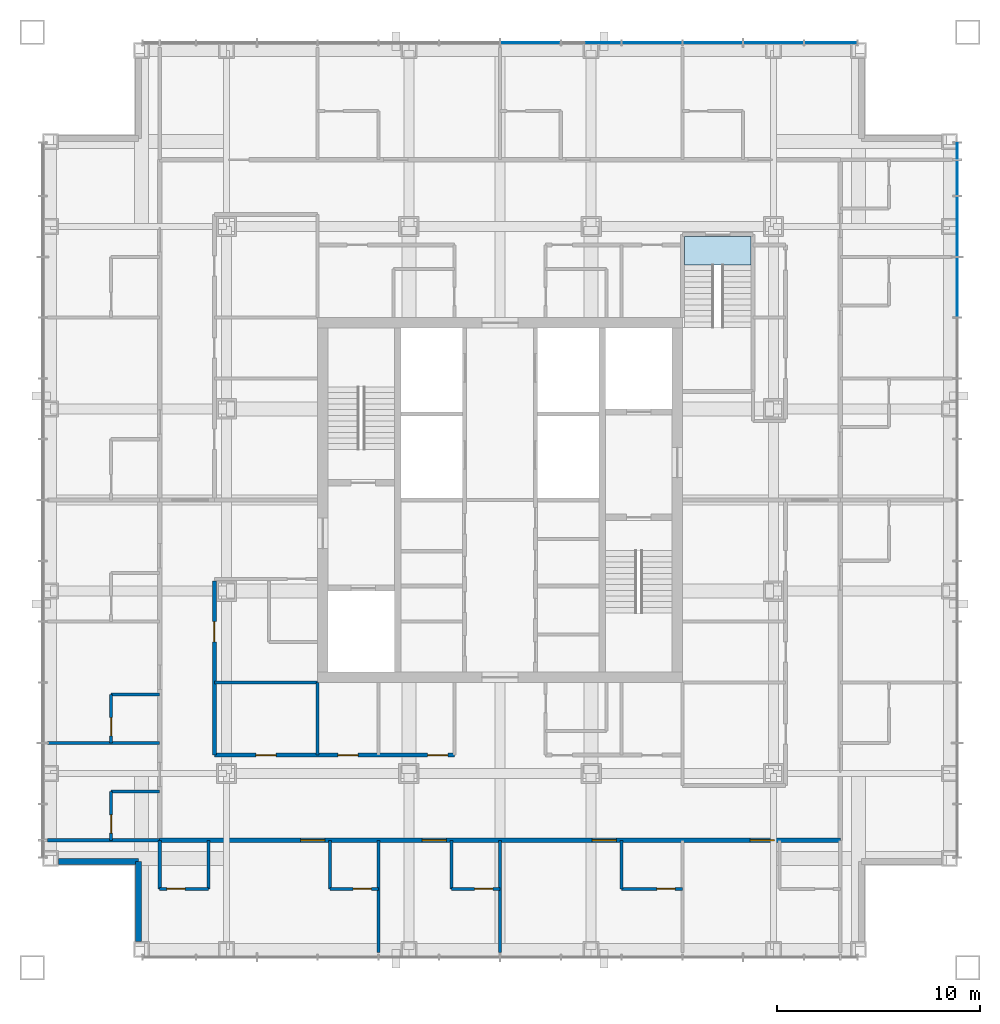
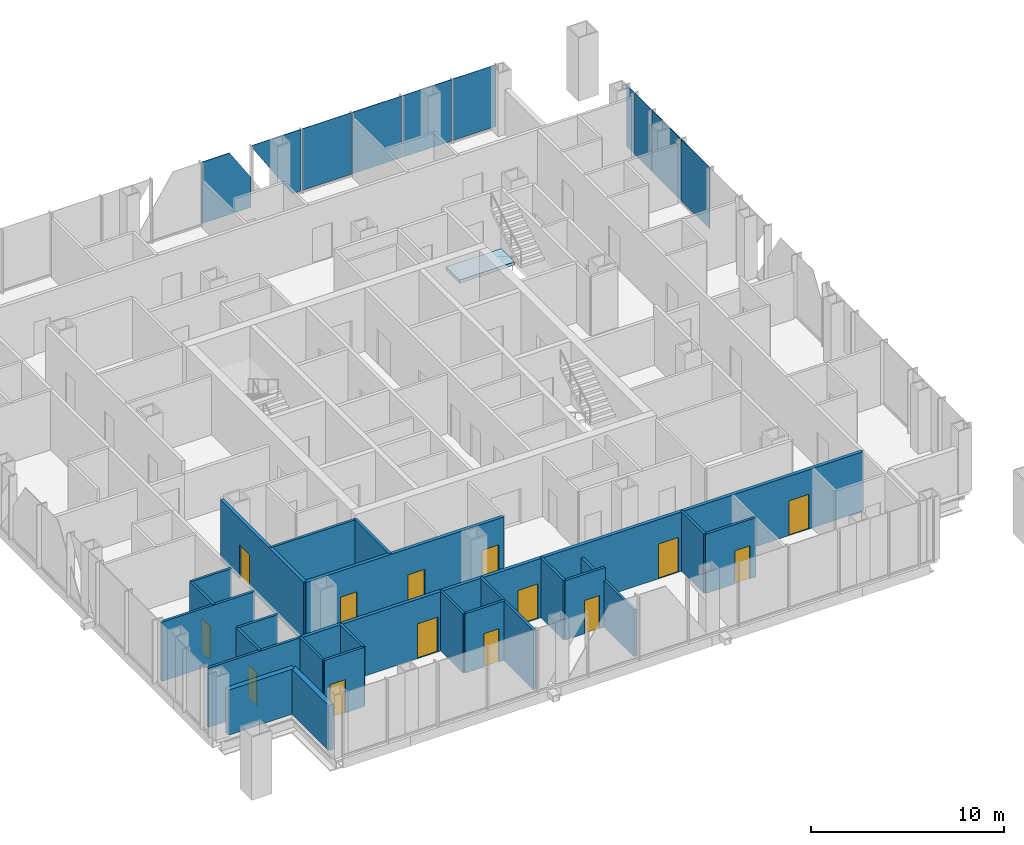
# One storey, part 7 of 17: 24 walls, 14 doors, 10 plates, 1 slab, 14 openings, 3 elements without a shape of their own.
"""IFC4 building model written with IfcOpenShell, lengths in metres."""

import ifcopenshell
import ifcopenshell.guid

model = None  # the IFC model being written
_history = None  # IfcOwnerHistory: only IFC2X3 demands one
_inside = {}  # id of a spatial element -> (the spatial element, [elements in it])
_under = {}  # id of a project, library or spatial element -> (it, [spatial elements below it])
_declared = {}  # id of a project -> (the project, [libraries it declares])
_typed = {}  # id of a type object -> (the type object, [elements of that type])
_made_of = {}  # id of a material, layer set ... -> (it, [elements and type objects made of it])


def new_model(schema):
    """Start an empty IFC model of exactly this schema.

    Asked for "IFC4X3", IfcOpenShell would pick the latest addendum, in which some entities
    have other attributes; the version numbers below select the first issue.
    IFC2X3 requires an IfcOwnerHistory on every rooted entity: one is made here for all.
    """
    global model, _history
    if schema == "IFC4X3":
        model = ifcopenshell.file(schema_version=(4, 3, 0, 0))
    else:
        model = ifcopenshell.file(schema=schema)
    _inside.clear()
    _under.clear()
    _declared.clear()
    _typed.clear()
    _made_of.clear()
    _history = None
    if model.schema == "IFC2X3":
        org = make("IfcOrganization", Name="unknown")
        user = make(
            "IfcPersonAndOrganization",
            ThePerson=make("IfcPerson", FamilyName="unknown"),
            TheOrganization=org,
        )
        app = make(
            "IfcApplication",
            ApplicationDeveloper=org,
            Version="unknown",
            ApplicationFullName="unknown",
            ApplicationIdentifier="unknown",
        )
        _history = make(
            "IfcOwnerHistory",
            OwningUser=user,
            OwningApplication=app,
            ChangeAction="ADDED",
            CreationDate=0,
        )
    return model


def make(cls, **values):
    """One entity of the class cls with the attributes given. An attribute that is None is left unset."""
    return model.create_entity(
        cls, **{name: value for name, value in values.items() if value is not None}
    )


def rooted(cls, **values):
    """An entity with a GlobalId (a new one), such as an element, a storey or a relation."""
    return make(cls, GlobalId=ifcopenshell.guid.new(), OwnerHistory=_history, **values)


def si_unit(unit_type, name, prefix=None):
    """IfcSIUnit, for example si_unit("LENGTHUNIT", "METRE", prefix="MILLI")."""
    return make("IfcSIUnit", UnitType=unit_type, Prefix=prefix, Name=name)


def assignment(units):
    """IfcUnitAssignment: the units of a project."""
    return None if units is None else make("IfcUnitAssignment", Units=units)


def point(xyz):
    """IfcCartesianPoint."""
    return None if xyz is None else make("IfcCartesianPoint", Coordinates=xyz)


def direction(xyz):
    """IfcDirection."""
    return None if xyz is None else make("IfcDirection", DirectionRatios=xyz)


def frame(location, z_axis=None, x_axis=None):
    """IfcAxis2Placement3D, a coordinate frame: its origin and axes. An axis left out is left unset."""
    return make(
        "IfcAxis2Placement3D",
        Location=point(location),
        Axis=direction(z_axis),
        RefDirection=direction(x_axis),
    )


def frame_2d(location, x_axis=None):
    """IfcAxis2Placement2D, a coordinate frame in the plane: its origin and x axis."""
    return make(
        "IfcAxis2Placement2D", Location=point(location), RefDirection=direction(x_axis)
    )


def origin():
    """The frame at (0, 0, 0) with its axes left unset."""
    return frame((0.0, 0.0, 0.0))


def origin_2d():
    """The frame at (0, 0) in the plane with its x axis left unset."""
    return frame_2d((0.0, 0.0))


def place(relative_to, where):
    """IfcLocalPlacement: puts the frame where relative to a parent placement (None: the world)."""
    return make(
        "IfcLocalPlacement", PlacementRelTo=relative_to, RelativePlacement=where
    )


def context(
    kind, dimensions, precision=None, world=None, true_north=None, identifier=None
):
    """IfcGeometricRepresentationContext, for example the 3D "Model" context."""
    return make(
        "IfcGeometricRepresentationContext",
        ContextIdentifier=identifier,
        ContextType=kind,
        CoordinateSpaceDimension=dimensions,
        Precision=precision,
        WorldCoordinateSystem=world,
        TrueNorth=true_north,
    )


def subcontext(parent, identifier, kind, view, scale=None):
    """IfcGeometricRepresentationSubContext, for example "Body" below "Model"."""
    return make(
        "IfcGeometricRepresentationSubContext",
        ContextIdentifier=identifier,
        ContextType=kind,
        ParentContext=parent,
        TargetScale=scale,
        TargetView=view,
    )


def project(units=None, contexts=None):
    """IfcProject with its units and contexts."""
    return rooted(
        "IfcProject",
        Name="project",
        RepresentationContexts=contexts,
        UnitsInContext=assignment(units),
    )


def spatial(cls, under=None, at=None, **own):
    """A site, building, storey or space (cls), placed at a placement, below another one or the project."""
    s = rooted(cls, ObjectPlacement=at, **own)
    if under is not None:
        _under.setdefault(under.id(), (under, []))[1].append(s)
    return s


def polyline(points):
    """IfcPolyline through the points."""
    return make("IfcPolyline", Points=[point(p) for p in points])


def profile(cls, at=None, kind="AREA", **sizes):
    """A parametric profile (cls). Its sizes go by their IFC names, for example OverallWidth=200.0."""
    return make(cls, ProfileType=kind, Position=at, **sizes)


def rectangle(**sizes):
    """IfcRectangleProfileDef."""
    return profile("IfcRectangleProfileDef", **sizes)


def outline(outer, holes=None, kind="AREA"):
    """IfcArbitraryClosedProfileDef: a profile drawn as a closed curve; with holes, ...WithVoids."""
    if holes is None:
        return make("IfcArbitraryClosedProfileDef", ProfileType=kind, OuterCurve=outer)
    return make(
        "IfcArbitraryProfileDefWithVoids",
        ProfileType=kind,
        OuterCurve=outer,
        InnerCurves=holes,
    )


def extrude(swept, where, along, depth):
    """IfcExtrudedAreaSolid: the profile swept, set in the frame where, extruded along a direction by depth."""
    return make(
        "IfcExtrudedAreaSolid",
        SweptArea=swept,
        Position=where,
        ExtrudedDirection=direction(along),
        Depth=depth,
    )


def shape(context_of_items, identifier, shape_type, items):
    """IfcShapeRepresentation: the items that make up one representation, for example the "Body"."""
    return make(
        "IfcShapeRepresentation",
        ContextOfItems=context_of_items,
        RepresentationIdentifier=identifier,
        RepresentationType=shape_type,
        Items=items,
    )


def material(Name=None, Category=None):
    """IfcMaterial."""
    return make("IfcMaterial", Name=Name, Category=Category)


def layer(
    of_material, thickness, ventilated=None, Name=None, Category=None, Priority=None
):
    """IfcMaterialLayer: one layer of a wall or slab, of a material (None: an air gap)."""
    return make(
        "IfcMaterialLayer",
        Material=of_material,
        LayerThickness=thickness,
        IsVentilated=ventilated,
        Name=Name,
        Category=Category,
        Priority=Priority,
    )


def layer_set(layers, Name=None):
    """IfcMaterialLayerSet."""
    return make("IfcMaterialLayerSet", MaterialLayers=layers, LayerSetName=Name)


def made_of(thing, what):
    """Note that an element or type object is made of a material, layer set ...; save() writes the relation."""
    if what is not None:
        _made_of.setdefault(what.id(), (what, []))[1].append(thing)
    return thing


def type_object(cls, material=None, **own):
    """A type object (cls), such as IfcWallType, which elements share."""
    return made_of(rooted(cls, **own), material)


def element(
    cls,
    number,
    at=None,
    inside=None,
    cuts=None,
    type_object=None,
    material=None,
    context=None,
    identifier="Body",
    shape_type=None,
    held_by="IfcProductDefinitionShape",
    body=None,
    shapes=None,
    **own,
):
    """One element of the class cls, such as IfcWall. Its Tag is "e" and its number.

    at: its placement. inside: the storey or other place that contains it. cuts: it is an
    opening in that element (IfcRelVoidsElement). A single representation is given by context,
    identifier, shape_type and body (its items); several are given by shapes. held_by: the class
    of the entity that holds the representations. save() writes the other relations.
    """
    e = rooted(cls, Tag="e%d" % number, ObjectPlacement=at, **own)
    if body is not None:
        shapes = [shape(context, identifier, shape_type, body)]
    if shapes is not None:
        e.Representation = make(held_by, Representations=shapes)
    if inside is not None:
        _inside.setdefault(inside.id(), (inside, []))[1].append(e)
    if cuts is not None:
        rooted(
            "IfcRelVoidsElement", RelatingBuildingElement=cuts, RelatedOpeningElement=e
        )
    if type_object is not None:
        _typed.setdefault(type_object.id(), (type_object, []))[1].append(e)
    return made_of(e, material)


def fill(opening, filler):
    """IfcRelFillsElement: the door or window that sits in an opening."""
    return rooted(
        "IfcRelFillsElement",
        RelatingOpeningElement=opening,
        RelatedBuildingElement=filler,
    )


def aggregate(whole, parts):
    """IfcRelAggregates: a whole, such as a stair, and the parts it consists of."""
    return rooted("IfcRelAggregates", RelatingObject=whole, RelatedObjects=parts)


def save(model, path):
    """Write the relations noted so far, then the file.

    IfcRelAggregates (storeys below a building ...), IfcRelContainedInSpatialStructure (elements
    in a storey), IfcRelDefinesByType, IfcRelAssociatesMaterial and IfcRelDeclares: one each for
    every whole, place, type object, material and project.
    """
    for whole, parts in _under.values():
        aggregate(whole, parts)
    for where, things in _inside.values():
        rooted(
            "IfcRelContainedInSpatialStructure",
            RelatedElements=things,
            RelatingStructure=where,
        )
    for kind, things in _typed.values():
        rooted("IfcRelDefinesByType", RelatedObjects=things, RelatingType=kind)
    for what, things in _made_of.values():
        rooted("IfcRelAssociatesMaterial", RelatedObjects=things, RelatingMaterial=what)
    for by, libraries in _declared.values():
        rooted("IfcRelDeclares", RelatingContext=by, RelatedDefinitions=libraries)
    model.write(path)


model = new_model("IFC4")

# Units and contexts
model_context = context("Model", 3, precision=1e-05, world=origin(), true_north=direction((0.0, 1.0)))
body_context = subcontext(model_context, "Body", "Model", "MODEL_VIEW")
ifc_project = project(units=[si_unit("LENGTHUNIT", "METRE"), si_unit("AREAUNIT", "SQUARE_METRE"), si_unit("VOLUMEUNIT", "CUBIC_METRE"), si_unit("PLANEANGLEUNIT", "RADIAN"), si_unit("MASSUNIT", "GRAM", prefix="KILO")], contexts=[model_context])

# Site, building, storey
site_placement = place(None, origin())
site = spatial("IfcSite", under=ifc_project, at=site_placement, CompositionType="ELEMENT")
building_placement = place(site_placement, origin())
building = spatial("IfcBuilding", under=site, at=building_placement, Name="Malebo Sky Hospital", CompositionType="ELEMENT")
storey_placement = place(building_placement, frame((0.0, 0.0, 237.0)))
storey = spatial("IfcBuildingStorey", under=building, at=storey_placement, Name="L57", CompositionType="ELEMENT", Elevation=237.0)

# Stair, slab
ifc_material_1 = material(Name="Concrete C40/50", Category="concrete")
stair_type = type_object("IfcStairType", Name="HALF-TURN STAIR 1400 R167", PredefinedType="HALF_TURN_STAIR", material=ifc_material_1)
stair_placement = place(storey_placement, origin())
stair = element("IfcStair", 1, at=stair_placement, inside=storey, type_object=stair_type, Name="Stair S3 L57 type ST1B", PredefinedType="HALF_TURN_STAIR")
ifc_layer_1 = layer(ifc_material_1, 0.199951171875)
ifc_layer_set_1 = layer_set([ifc_layer_1], Name="STAIR LANDING 200")
slab_type = type_object("IfcSlabType", Name="STAIR LANDING 200", PredefinedType="LANDING", material=ifc_layer_set_1)
slab_placement = place(storey_placement, frame((0.0, 0.0, -0.199951171875)))
slab = element("IfcSlab", 2, at=slab_placement, type_object=slab_type, Name="S3 landing 1", PredefinedType="LANDING", context=body_context, shape_type="SweptSolid", body=[
    extrude(outline(polyline([(69.10009765625, 73.60009765625), (72.39990234375, 73.60009765625), (72.39990234375, 75.0), (69.10009765625, 75.0), (69.10009765625, 73.60009765625)])), origin(), (0.0, 0.0, 1.0), 0.199951171875),
])
aggregate(stair, [slab])

# Curtain wall, plates
ifc_material_2 = material(Name="Anodised aluminium, natural silver", Category="aluminium")
ifc_layer_2 = layer(ifc_material_2, 0.25)
ifc_layer_set_2 = layer_set([ifc_layer_2], Name="WARD CURTAIN WALL NORTH AND SOUTH")
curtain_wall_type_1 = type_object("IfcCurtainWallType", Name="WARD CURTAIN WALL NORTH AND SOUTH", PredefinedType="NOTDEFINED", material=ifc_layer_set_2)
curtain_wall_1_placement = place(storey_placement, origin())
curtain_wall_1 = element("IfcCurtainWall", 3, at=curtain_wall_1_placement, inside=storey, type_object=curtain_wall_type_1, Name="NS curtain wall N", PredefinedType="NOTDEFINED")
ifc_material_3 = material(Name="Clear low-iron double glazing", Category="glass")
ifc_layer_3 = layer(ifc_material_3, 0.031982421875)
ifc_layer_set_3 = layer_set([ifc_layer_3], Name="VISION PANEL CLEAR 32")
plate_type = type_object("IfcPlateType", Name="VISION PANEL CLEAR 32", PredefinedType="CURTAIN_PANEL", material=ifc_layer_set_3)
plate_1_placement = place(storey_placement, frame((61.5, 84.574951171875, 0.10009765625), z_axis=(0.0, 0.0, 1.0), x_axis=(1.0, 0.0, 0.0)))
plate_1 = element("IfcPlate", 4, at=plate_1_placement, type_object=plate_type, Name="Panel 8", PredefinedType="CURTAIN_PANEL", context=body_context, shape_type="SweptSolid", body=[
    extrude(outline(polyline([(-1.46240234375, 0.0), (1.46240234375, 0.0), (1.46240234375, 1.91015625), (0.192138671875, 3.889892578125), (-1.46240234375, 3.889892578125), (-1.46240234375, 0.0)])), frame((0.0, 0.01611328125, 0.0), z_axis=(0.0, -1.0, 0.0), x_axis=(1.0, 0.0, 0.0)), (0.0, 0.0, 1.0), 0.031982421875),
])
plate_2_placement = place(storey_placement, frame((64.5, 84.574951171875, 0.10009765625), z_axis=(0.0, 0.0, 1.0), x_axis=(1.0, 0.0, 0.0)))
plate_2 = element("IfcPlate", 5, at=plate_2_placement, type_object=plate_type, Name="Panel 9", PredefinedType="CURTAIN_PANEL", context=body_context, shape_type="SweptSolid", body=[
    extrude(outline(polyline([(0.93701171875, 0.0), (1.46240234375, 0.0), (1.46240234375, 3.889892578125), (-1.46240234375, 3.889892578125), (-1.46240234375, 3.739501953125), (0.93701171875, 0.0)])), frame((0.0, 0.01611328125, 0.0), z_axis=(0.0, -1.0, 0.0), x_axis=(1.0, 0.0, 0.0)), (0.0, 0.0, 1.0), 0.031982421875),
])
plate_3_placement = place(storey_placement, frame((67.5, 84.574951171875, 0.10009765625), z_axis=(0.0, 0.0, 1.0), x_axis=(1.0, 0.0, 0.0)))
plate_3 = element("IfcPlate", 6, at=plate_3_placement, type_object=plate_type, Name="Panel 10", PredefinedType="CURTAIN_PANEL", context=body_context, shape_type="SweptSolid", body=[
    extrude(rectangle(XDim=2.925048828125, YDim=0.031982421875, at=origin_2d()), origin(), (0.0, 0.0, 1.0), 3.889892578125),
])
plate_4_placement = place(storey_placement, frame((70.5, 84.574951171875, 0.10009765625), z_axis=(0.0, 0.0, 1.0), x_axis=(1.0, 0.0, 0.0)))
plate_4 = element("IfcPlate", 7, at=plate_4_placement, type_object=plate_type, Name="Panel 11", PredefinedType="CURTAIN_PANEL", context=body_context, shape_type="SweptSolid", body=[
    extrude(rectangle(XDim=2.925048828125, YDim=0.031982421875, at=origin_2d()), origin(), (0.0, 0.0, 1.0), 3.889892578125),
])
plate_5_placement = place(storey_placement, frame((73.5, 84.574951171875, 0.10009765625), z_axis=(0.0, 0.0, 1.0), x_axis=(1.0, 0.0, 0.0)))
plate_5 = element("IfcPlate", 8, at=plate_5_placement, type_object=plate_type, Name="Panel 12", PredefinedType="CURTAIN_PANEL", context=body_context, shape_type="SweptSolid", body=[
    extrude(rectangle(XDim=2.925048828125, YDim=0.031982421875, at=origin_2d()), origin(), (0.0, 0.0, 1.0), 3.889892578125),
])
plate_6_placement = place(storey_placement, frame((76.331298828125, 84.574951171875, 0.10009765625), z_axis=(0.0, 0.0, 1.0), x_axis=(1.0, 0.0, 0.0)))
plate_6 = element("IfcPlate", 9, at=plate_6_placement, type_object=plate_type, Name="Panel 13", PredefinedType="CURTAIN_PANEL", context=body_context, shape_type="SweptSolid", body=[
    extrude(rectangle(XDim=2.58740234375, YDim=0.031982421875, at=origin_2d()), origin(), (0.0, 0.0, 1.0), 3.889892578125),
])
aggregate(curtain_wall_1, [plate_1, plate_2, plate_3, plate_4, plate_5, plate_6])

ifc_layer_4 = layer(ifc_material_2, 0.25)
ifc_layer_set_4 = layer_set([ifc_layer_4], Name="WARD CURTAIN WALL EAST AND WEST")
curtain_wall_type_2 = type_object("IfcCurtainWallType", Name="WARD CURTAIN WALL EAST AND WEST", PredefinedType="NOTDEFINED", material=ifc_layer_set_4)
curtain_wall_2_placement = place(storey_placement, origin())
curtain_wall_2 = element("IfcCurtainWall", 10, at=curtain_wall_2_placement, inside=storey, type_object=curtain_wall_type_2, Name="EW curtain wall E", PredefinedType="NOTDEFINED")
plate_7_placement = place(storey_placement, frame((82.574951171875, 79.231201171875, 0.10009765625), z_axis=(0.0, 0.0, 1.0), x_axis=(0.0, -1.0, 0.0)))
plate_7 = element("IfcPlate", 11, at=plate_7_placement, type_object=plate_type, Name="Panel 1", PredefinedType="CURTAIN_PANEL", context=body_context, shape_type="SweptSolid", body=[
    extrude(rectangle(XDim=0.78759765625, YDim=0.031982421875, at=origin_2d()), origin(), (0.0, 0.0, 1.0), 3.889892578125),
])
plate_8_placement = place(storey_placement, frame((82.574951171875, 77.89990234375, 0.10009765625), z_axis=(0.0, 0.0, 1.0), x_axis=(0.0, -1.0, 0.0)))
plate_8 = element("IfcPlate", 12, at=plate_8_placement, type_object=plate_type, Name="Panel 2", PredefinedType="CURTAIN_PANEL", context=body_context, shape_type="SweptSolid", body=[
    extrude(rectangle(XDim=1.72509765625, YDim=0.031982421875, at=origin_2d()), origin(), (0.0, 0.0, 1.0), 3.889892578125),
])
plate_9_placement = place(storey_placement, frame((82.574951171875, 75.5, 0.10009765625), z_axis=(0.0, 0.0, 1.0), x_axis=(0.0, -1.0, 0.0)))
plate_9 = element("IfcPlate", 13, at=plate_9_placement, type_object=plate_type, Name="Panel 3", PredefinedType="CURTAIN_PANEL", context=body_context, shape_type="SweptSolid", body=[
    extrude(rectangle(XDim=2.925048828125, YDim=0.031982421875, at=origin_2d()), origin(), (0.0, 0.0, 1.0), 3.889892578125),
])
plate_10_placement = place(storey_placement, frame((82.574951171875, 72.5, 0.10009765625), z_axis=(0.0, 0.0, 1.0), x_axis=(0.0, -1.0, 0.0)))
plate_10 = element("IfcPlate", 14, at=plate_10_placement, type_object=plate_type, Name="Panel 4", PredefinedType="CURTAIN_PANEL", context=body_context, shape_type="SweptSolid", body=[
    extrude(rectangle(XDim=2.925048828125, YDim=0.031982421875, at=origin_2d()), origin(), (0.0, 0.0, 1.0), 3.889892578125),
])
aggregate(curtain_wall_2, [plate_7, plate_8, plate_9, plate_10])

# Wall, opening, door
ifc_material_4 = material(Name="Gypsum board on steel studs", Category="steel")
ifc_layer_5 = layer(ifc_material_4, 0.199951171875)
ifc_layer_set_5 = layer_set([ifc_layer_5], Name="CORRIDOR WALL 200")
wall_type_1 = type_object("IfcWallType", Name="CORRIDOR WALL 200", PredefinedType="PARTITIONING", material=ifc_layer_set_5)
wall_1_placement = place(storey_placement, frame((45.89990234375, 49.39990234375, 0.0), z_axis=(0.0, 0.0, 1.0), x_axis=(0.0, 1.0, 0.0)))
wall_1 = element("IfcWall", 15, at=wall_1_placement, inside=storey, type_object=wall_type_1, Name="Corridor Wall 200 WCI1", PredefinedType="PARTITIONING", context=body_context, shape_type="SweptSolid", body=[
    extrude(rectangle(XDim=8.60009765625, YDim=0.199951171875, at=frame_2d((4.300048828125, 0.0))), origin(), (0.0, 0.0, 1.0), 3.75),
])
opening_1_placement = place(wall_1_placement, frame((5.60009765625, 0.0, 0.0)))
opening_1 = element("IfcOpeningElement", 16, at=opening_1_placement, cuts=wall_1, Name="Opening D03", PredefinedType="OPENING", context=body_context, shape_type="SweptSolid", body=[
    extrude(rectangle(XDim=1.0, YDim=2.10009765625, at=frame_2d((0.5, 1.050048828125))), frame((0.0, 0.10986328125, 0.0), z_axis=(0.0, -1.0, 0.0), x_axis=(1.0, 0.0, 0.0)), (0.0, 0.0, 1.0), 0.219970703125),
])
ifc_material_5 = material(Name="Hardwood-faced door leaf in steel frame", Category="steel")
door_type_1 = type_object("IfcDoorType", Name="ROOM DOOR 1000", OperationType="SINGLE_SWING_LEFT", PredefinedType="DOOR", material=ifc_material_5)
door_1_placement = place(opening_1_placement, origin())
door_1 = element("IfcDoor", 17, at=door_1_placement, inside=storey, type_object=door_type_1, Name="Seminar room door", OperationType="SINGLE_SWING_LEFT", OverallHeight=2.10009765625, OverallWidth=1.0, PredefinedType="DOOR", context=body_context, shape_type="SweptSolid", body=[
    extrude(rectangle(XDim=1.0, YDim=2.10009765625, at=frame_2d((0.5, 1.050048828125))), frame((0.0, 0.02490234375, 0.0), z_axis=(0.0, -1.0, 0.0), x_axis=(1.0, 0.0, 0.0)), (0.0, 0.0, 1.0), 0.050048828125),
])
fill(opening_1, door_1)

# Wall, openings, doors
wall_2_placement = place(storey_placement, frame((76.800048828125, 45.199951171875, 0.0), z_axis=(0.0, 0.0, 1.0), x_axis=(-1.0, 0.0, 0.0)))
wall_2 = element("IfcWall", 18, at=wall_2_placement, inside=storey, type_object=wall_type_1, Name="Corridor Wall 200 SCO", PredefinedType="PARTITIONING", context=body_context, shape_type="SweptSolid", body=[
    extrude(rectangle(XDim=33.60009765625, YDim=0.199951171875, at=frame_2d((16.800048828125, 0.0))), origin(), (0.0, 0.0, 1.0), 3.75),
])
opening_2_placement = place(wall_2_placement, frame((3.25, 0.0, 0.0)))
opening_2 = element("IfcOpeningElement", 19, at=opening_2_placement, cuts=wall_2, Name="Opening D01", PredefinedType="OPENING", context=body_context, shape_type="SweptSolid", body=[
    extrude(rectangle(XDim=1.199951171875, YDim=2.199951171875, at=frame_2d((0.60009765625, 1.10009765625))), frame((0.0, 0.10986328125, 0.0), z_axis=(0.0, -1.0, 0.0), x_axis=(1.0, 0.0, 0.0)), (0.0, 0.0, 1.0), 0.219970703125),
])
opening_3_placement = place(wall_2_placement, frame((11.050048828125, 0.0, 0.0)))
opening_3 = element("IfcOpeningElement", 20, at=opening_3_placement, cuts=wall_2, Name="Opening D01", PredefinedType="OPENING", context=body_context, shape_type="SweptSolid", body=[
    extrude(rectangle(XDim=1.199951171875, YDim=2.199951171875, at=frame_2d((0.60009765625, 1.10009765625))), frame((0.0, 0.10986328125, 0.0), z_axis=(0.0, -1.0, 0.0), x_axis=(1.0, 0.0, 0.0)), (0.0, 0.0, 1.0), 0.219970703125),
])
opening_4_placement = place(wall_2_placement, frame((19.449951171875, 0.0, 0.0)))
opening_4 = element("IfcOpeningElement", 21, at=opening_4_placement, cuts=wall_2, Name="Opening D01", PredefinedType="OPENING", context=body_context, shape_type="SweptSolid", body=[
    extrude(rectangle(XDim=1.199951171875, YDim=2.199951171875, at=frame_2d((0.60009765625, 1.10009765625))), frame((0.0, 0.10986328125, 0.0), z_axis=(0.0, -1.0, 0.0), x_axis=(1.0, 0.0, 0.0)), (0.0, 0.0, 1.0), 0.219970703125),
])
opening_5_placement = place(wall_2_placement, frame((25.449951171875, 0.0, 0.0)))
opening_5 = element("IfcOpeningElement", 22, at=opening_5_placement, cuts=wall_2, Name="Opening D01", PredefinedType="OPENING", context=body_context, shape_type="SweptSolid", body=[
    extrude(rectangle(XDim=1.199951171875, YDim=2.199951171875, at=frame_2d((0.60009765625, 1.10009765625))), frame((0.0, 0.10986328125, 0.0), z_axis=(0.0, -1.0, 0.0), x_axis=(1.0, 0.0, 0.0)), (0.0, 0.0, 1.0), 0.219970703125),
])
door_type_2 = type_object("IfcDoorType", Name="BED DOOR 1200", OperationType="SINGLE_SWING_LEFT", PredefinedType="DOOR", material=ifc_material_5)
door_2_placement = place(opening_2_placement, origin())
door_2 = element("IfcDoor", 23, at=door_2_placement, inside=storey, type_object=door_type_2, Name="Two-bed room door", OperationType="SINGLE_SWING_LEFT", OverallHeight=2.199951171875, OverallWidth=1.199951171875, PredefinedType="DOOR", context=body_context, shape_type="SweptSolid", body=[
    extrude(rectangle(XDim=1.199951171875, YDim=2.199951171875, at=frame_2d((0.60009765625, 1.10009765625))), frame((0.0, 0.02490234375, 0.0), z_axis=(0.0, -1.0, 0.0), x_axis=(1.0, 0.0, 0.0)), (0.0, 0.0, 1.0), 0.050048828125),
])
fill(opening_2, door_2)
door_3_placement = place(opening_3_placement, origin())
door_3 = element("IfcDoor", 24, at=door_3_placement, inside=storey, type_object=door_type_2, Name="Two-bed room door", OperationType="SINGLE_SWING_LEFT", OverallHeight=2.199951171875, OverallWidth=1.199951171875, PredefinedType="DOOR", context=body_context, shape_type="SweptSolid", body=[
    extrude(rectangle(XDim=1.199951171875, YDim=2.199951171875, at=frame_2d((0.60009765625, 1.10009765625))), frame((0.0, 0.02490234375, 0.0), z_axis=(0.0, -1.0, 0.0), x_axis=(1.0, 0.0, 0.0)), (0.0, 0.0, 1.0), 0.050048828125),
])
fill(opening_3, door_3)
door_4_placement = place(opening_4_placement, origin())
door_4 = element("IfcDoor", 25, at=door_4_placement, inside=storey, type_object=door_type_2, Name="Single bed room door", OperationType="SINGLE_SWING_LEFT", OverallHeight=2.199951171875, OverallWidth=1.199951171875, PredefinedType="DOOR", context=body_context, shape_type="SweptSolid", body=[
    extrude(rectangle(XDim=1.199951171875, YDim=2.199951171875, at=frame_2d((0.60009765625, 1.10009765625))), frame((0.0, 0.02490234375, 0.0), z_axis=(0.0, -1.0, 0.0), x_axis=(1.0, 0.0, 0.0)), (0.0, 0.0, 1.0), 0.050048828125),
])
fill(opening_4, door_4)
door_5_placement = place(opening_5_placement, origin())
door_5 = element("IfcDoor", 26, at=door_5_placement, inside=storey, type_object=door_type_2, Name="Four-bed bay door", OperationType="SINGLE_SWING_LEFT", OverallHeight=2.199951171875, OverallWidth=1.199951171875, PredefinedType="DOOR", context=body_context, shape_type="SweptSolid", body=[
    extrude(rectangle(XDim=1.199951171875, YDim=2.199951171875, at=frame_2d((0.60009765625, 1.10009765625))), frame((0.0, 0.02490234375, 0.0), z_axis=(0.0, -1.0, 0.0), x_axis=(1.0, 0.0, 0.0)), (0.0, 0.0, 1.0), 0.050048828125),
])
fill(opening_5, door_5)

wall_3_placement = place(storey_placement, frame((57.75, 49.39990234375, 0.0), z_axis=(0.0, 0.0, 1.0), x_axis=(-1.0, 0.0, 0.0)))
wall_3 = element("IfcWall", 27, at=wall_3_placement, inside=storey, type_object=wall_type_1, Name="Corridor Wall 200 SCI2", PredefinedType="PARTITIONING", context=body_context, shape_type="SweptSolid", body=[
    extrude(rectangle(XDim=11.85009765625, YDim=0.199951171875, at=frame_2d((5.925048828125, 0.0))), origin(), (0.0, 0.0, 1.0), 3.75),
])
opening_6_placement = place(wall_3_placement, frame((0.324951171875, 0.0, 0.0)))
opening_6 = element("IfcOpeningElement", 28, at=opening_6_placement, cuts=wall_3, Name="Opening D03", PredefinedType="OPENING", context=body_context, shape_type="SweptSolid", body=[
    extrude(rectangle(XDim=1.0, YDim=2.10009765625, at=frame_2d((0.5, 1.050048828125))), frame((0.0, 0.10986328125, 0.0), z_axis=(0.0, -1.0, 0.0), x_axis=(1.0, 0.0, 0.0)), (0.0, 0.0, 1.0), 0.219970703125),
])
opening_7_placement = place(wall_3_placement, frame((4.75, 0.0, 0.0)))
opening_7 = element("IfcOpeningElement", 29, at=opening_7_placement, cuts=wall_3, Name="Opening D03", PredefinedType="OPENING", context=body_context, shape_type="SweptSolid", body=[
    extrude(rectangle(XDim=1.0, YDim=2.10009765625, at=frame_2d((0.5, 1.050048828125))), frame((0.0, 0.10986328125, 0.0), z_axis=(0.0, -1.0, 0.0), x_axis=(1.0, 0.0, 0.0)), (0.0, 0.0, 1.0), 0.219970703125),
])
opening_8_placement = place(wall_3_placement, frame((8.800048828125, 0.0, 0.0)))
opening_8 = element("IfcOpeningElement", 30, at=opening_8_placement, cuts=wall_3, Name="Opening D03", PredefinedType="OPENING", context=body_context, shape_type="SweptSolid", body=[
    extrude(rectangle(XDim=1.0, YDim=2.10009765625, at=frame_2d((0.5, 1.050048828125))), frame((0.0, 0.10986328125, 0.0), z_axis=(0.0, -1.0, 0.0), x_axis=(1.0, 0.0, 0.0)), (0.0, 0.0, 1.0), 0.219970703125),
])
door_6_placement = place(opening_6_placement, origin())
door_6 = element("IfcDoor", 31, at=door_6_placement, inside=storey, type_object=door_type_1, Name="Ward pantry door", OperationType="SINGLE_SWING_LEFT", OverallHeight=2.10009765625, OverallWidth=1.0, PredefinedType="DOOR", context=body_context, shape_type="SweptSolid", body=[
    extrude(rectangle(XDim=1.0, YDim=2.10009765625, at=frame_2d((0.5, 1.050048828125))), frame((0.0, 0.02490234375, 0.0), z_axis=(0.0, -1.0, 0.0), x_axis=(1.0, 0.0, 0.0)), (0.0, 0.0, 1.0), 0.050048828125),
])
fill(opening_6, door_6)
door_7_placement = place(opening_7_placement, origin())
door_7 = element("IfcDoor", 32, at=door_7_placement, inside=storey, type_object=door_type_1, Name="Ward office door", OperationType="SINGLE_SWING_LEFT", OverallHeight=2.10009765625, OverallWidth=1.0, PredefinedType="DOOR", context=body_context, shape_type="SweptSolid", body=[
    extrude(rectangle(XDim=1.0, YDim=2.10009765625, at=frame_2d((0.5, 1.050048828125))), frame((0.0, 0.02490234375, 0.0), z_axis=(0.0, -1.0, 0.0), x_axis=(1.0, 0.0, 0.0)), (0.0, 0.0, 1.0), 0.050048828125),
])
fill(opening_7, door_7)
door_8_placement = place(opening_8_placement, origin())
door_8 = element("IfcDoor", 33, at=door_8_placement, inside=storey, type_object=door_type_1, Name="Staff base door", OperationType="SINGLE_SWING_RIGHT", OverallHeight=2.10009765625, OverallWidth=1.0, PredefinedType="DOOR", context=body_context, shape_type="SweptSolid", body=[
    extrude(rectangle(XDim=1.0, YDim=2.10009765625, at=frame_2d((0.5, 1.050048828125))), frame((0.0, 0.02490234375, 0.0), z_axis=(0.0, -1.0, 0.0), x_axis=(1.0, 0.0, 0.0)), (0.0, 0.0, 1.0), 0.050048828125),
])
fill(opening_8, door_8)

# Walls
ifc_material_6 = material(Name="Anodised aluminium rainscreen on steel framing", Category="steel")
ifc_layer_6 = layer(ifc_material_6, 0.300048828125)
ifc_layer_set_6 = layer_set([ifc_layer_6], Name="NOTCH RAINSCREEN WALL 300")
wall_type_2 = type_object("IfcWallType", Name="NOTCH RAINSCREEN WALL 300", PredefinedType="ELEMENTEDWALL", material=ifc_layer_set_6)
for number, where, z_axis, x_axis, name in (
    (34, (42.14990234375, 40.199951171875, 0.0), (0.0, 0.0, 1.0), (0.0, 1.0, 0.0), "Notch rainscreen wall S1 L57"),
    (35, (42.14990234375, 44.14990234375, 0.0), (0.0, 0.0, 1.0), (-1.0, 0.0, 0.0), "Notch rainscreen wall S2 L57"),
):
    element("IfcWall", number, at=place(storey_placement, frame(where, z_axis=z_axis, x_axis=x_axis)), inside=storey, type_object=wall_type_2, Name=name, PredefinedType="ELEMENTEDWALL", context=body_context, shape_type="SweptSolid", body=[
        extrude(rectangle(XDim=3.949951171875, YDim=0.300048828125, at=frame_2d((1.97509765625, 0.0))), origin(), (0.0, 0.0, 1.0), 2.85009765625),
    ])
ifc_layer_7 = layer(ifc_material_4, 0.14990234375)
ifc_layer_set_7 = layer_set([ifc_layer_7], Name="PARTITION 150")
wall_type_3 = type_object("IfcWallType", Name="PARTITION 150", PredefinedType="PARTITIONING", material=ifc_layer_set_7)
for number, where, z_axis, x_axis, name in (
    (36, (43.199951171875, 50.0, 0.0), (0.0, 0.0, 1.0), (-1.0, 0.0, 0.0), "Partition 150 WP-12.0"),
    (37, (43.199951171875, 45.199951171875, 0.0), (0.0, 0.0, 1.0), (-1.0, 0.0, 0.0), "Partition 150 WP0"),
):
    element("IfcWall", number, at=place(storey_placement, frame(where, z_axis=z_axis, x_axis=x_axis)), inside=storey, type_object=wall_type_3, Name=name, PredefinedType="PARTITIONING", context=body_context, shape_type="SweptSolid", body=[
        extrude(rectangle(XDim=5.550048828125, YDim=0.14990234375, at=frame_2d((2.77490234375, 0.0))), origin(), (0.0, 0.0, 1.0), 3.75),
    ])

# Wall, opening, door
wall_4_placement = place(storey_placement, frame((40.800048828125, 45.199951171875, 0.0), z_axis=(0.0, 0.0, 1.0), x_axis=(0.0, 1.0, 0.0)))
wall_4 = element("IfcWall", 38, at=wall_4_placement, inside=storey, type_object=wall_type_3, Name="Partition 150 WE0F", PredefinedType="PARTITIONING", context=body_context, shape_type="SweptSolid", body=[
    extrude(rectangle(XDim=2.400146484375, YDim=0.14990234375, at=frame_2d((1.2001953125, 0.0))), origin(), (0.0, 0.0, 1.0), 3.75),
])
opening_9_placement = place(wall_4_placement, frame((0.35009765625, 0.0, 0.0)))
opening_9 = element("IfcOpeningElement", 39, at=opening_9_placement, cuts=wall_4, Name="Opening D02", PredefinedType="OPENING", context=body_context, shape_type="SweptSolid", body=[
    extrude(rectangle(XDim=0.89990234375, YDim=2.10009765625, at=frame_2d((0.449951171875, 1.050048828125))), frame((0.0, 0.0849609375, 0.0), z_axis=(0.0, -1.0, 0.0), x_axis=(1.0, 0.0, 0.0)), (0.0, 0.0, 1.0), 0.169921875),
])
door_type_3 = type_object("IfcDoorType", Name="EN-SUITE DOOR 900", OperationType="SINGLE_SWING_LEFT", PredefinedType="DOOR", material=ifc_material_5)
door_9_placement = place(opening_9_placement, origin())
door_9 = element("IfcDoor", 40, at=door_9_placement, inside=storey, type_object=door_type_3, Name="En-suite door", OperationType="SINGLE_SWING_LEFT", OverallHeight=2.10009765625, OverallWidth=0.89990234375, PredefinedType="DOOR", context=body_context, shape_type="SweptSolid", body=[
    extrude(rectangle(XDim=0.89990234375, YDim=2.10009765625, at=frame_2d((0.449951171875, 1.050048828125))), frame((0.0, 0.02490234375, 0.0), z_axis=(0.0, -1.0, 0.0), x_axis=(1.0, 0.0, 0.0)), (0.0, 0.0, 1.0), 0.050048828125),
])
fill(opening_9, door_9)

# Wall
wall_5_placement = place(storey_placement, frame((43.199951171875, 47.60009765625, 0.0), z_axis=(0.0, 0.0, 1.0), x_axis=(-1.0, 0.0, 0.0)))
element("IfcWall", 41, at=wall_5_placement, inside=storey, type_object=wall_type_3, Name="Partition 150 WE0S", PredefinedType="PARTITIONING", context=body_context, shape_type="SweptSolid", body=[
    extrude(rectangle(XDim=2.39990234375, YDim=0.14990234375, at=frame_2d((1.199951171875, 0.0))), origin(), (0.0, 0.0, 1.0), 3.75),
])

# Wall, opening, door
wall_6_placement = place(storey_placement, frame((40.800048828125, 50.0, 0.0), z_axis=(0.0, 0.0, 1.0), x_axis=(0.0, 1.0, 0.0)))
wall_6 = element("IfcWall", 42, at=wall_6_placement, inside=storey, type_object=wall_type_3, Name="Partition 150 WE1F", PredefinedType="PARTITIONING", context=body_context, shape_type="SweptSolid", body=[
    extrude(rectangle(XDim=2.39990234375, YDim=0.14990234375, at=frame_2d((1.199951171875, 0.0))), origin(), (0.0, 0.0, 1.0), 3.75),
])
opening_10_placement = place(wall_6_placement, frame((0.35009765625, 0.0, 0.0)))
opening_10 = element("IfcOpeningElement", 43, at=opening_10_placement, cuts=wall_6, Name="Opening D02", PredefinedType="OPENING", context=body_context, shape_type="SweptSolid", body=[
    extrude(rectangle(XDim=0.89990234375, YDim=2.10009765625, at=frame_2d((0.449951171875, 1.050048828125))), frame((0.0, 0.0849609375, 0.0), z_axis=(0.0, -1.0, 0.0), x_axis=(1.0, 0.0, 0.0)), (0.0, 0.0, 1.0), 0.169921875),
])
door_10_placement = place(opening_10_placement, origin())
door_10 = element("IfcDoor", 44, at=door_10_placement, inside=storey, type_object=door_type_3, Name="En-suite door", OperationType="SINGLE_SWING_LEFT", OverallHeight=2.10009765625, OverallWidth=0.89990234375, PredefinedType="DOOR", context=body_context, shape_type="SweptSolid", body=[
    extrude(rectangle(XDim=0.89990234375, YDim=2.10009765625, at=frame_2d((0.449951171875, 1.050048828125))), frame((0.0, 0.02490234375, 0.0), z_axis=(0.0, -1.0, 0.0), x_axis=(1.0, 0.0, 0.0)), (0.0, 0.0, 1.0), 0.050048828125),
])
fill(opening_10, door_10)

# Walls
wall_7_placement = place(storey_placement, frame((43.199951171875, 52.39990234375, 0.0), z_axis=(0.0, 0.0, 1.0), x_axis=(-1.0, 0.0, 0.0)))
element("IfcWall", 45, at=wall_7_placement, inside=storey, type_object=wall_type_3, Name="Partition 150 WE1S", PredefinedType="PARTITIONING", context=body_context, shape_type="SweptSolid", body=[
    extrude(rectangle(XDim=2.39990234375, YDim=0.14990234375, at=frame_2d((1.199951171875, 0.0))), origin(), (0.0, 0.0, 1.0), 3.75),
])
wall_8_placement = place(storey_placement, frame((51.0, 53.0, 0.0), z_axis=(0.0, 0.0, 1.0), x_axis=(-1.0, 0.0, 0.0)))
element("IfcWall", 46, at=wall_8_placement, inside=storey, type_object=wall_type_3, Name="Partition 150 WSP0", PredefinedType="PARTITIONING", context=body_context, shape_type="SweptSolid", body=[
    extrude(rectangle(XDim=5.10009765625, YDim=0.14990234375, at=frame_2d((2.550048828125, 0.0))), origin(), (0.0, 0.0, 1.0), 3.75),
])
wall_9_placement = place(storey_placement, frame((60.0, 45.199951171875, 0.0), z_axis=(0.0, 0.0, 1.0), x_axis=(0.0, -1.0, 0.0)))
element("IfcWall", 47, at=wall_9_placement, inside=storey, type_object=wall_type_3, Name="Partition 150 SP+0.0", PredefinedType="PARTITIONING", context=body_context, shape_type="SweptSolid", body=[
    extrude(rectangle(XDim=5.550048828125, YDim=0.14990234375, at=frame_2d((2.77490234375, 0.0))), origin(), (0.0, 0.0, 1.0), 2.949951171875),
])
wall_10_placement = place(storey_placement, frame((54.0, 45.199951171875, 0.0), z_axis=(0.0, 0.0, 1.0), x_axis=(0.0, -1.0, 0.0)))
element("IfcWall", 48, at=wall_10_placement, inside=storey, type_object=wall_type_3, Name="Partition 150 SP+6.0", PredefinedType="PARTITIONING", context=body_context, shape_type="SweptSolid", body=[
    extrude(rectangle(XDim=5.550048828125, YDim=0.14990234375, at=frame_2d((2.77490234375, 0.0))), origin(), (0.0, 0.0, 1.0), 3.75),
])

# Wall, opening, door
wall_11_placement = place(storey_placement, frame((69.0, 42.800048828125, 0.0), z_axis=(0.0, 0.0, 1.0), x_axis=(-1.0, 0.0, 0.0)))
wall_11 = element("IfcWall", 49, at=wall_11_placement, inside=storey, type_object=wall_type_3, Name="Partition 150 SE1F", PredefinedType="PARTITIONING", context=body_context, shape_type="SweptSolid", body=[
    extrude(rectangle(XDim=3.0, YDim=0.14990234375, at=frame_2d((1.5, 0.0))), origin(), (0.0, 0.0, 1.0), 3.75),
])
opening_11_placement = place(wall_11_placement, frame((0.35009765625, 0.0, 0.0)))
opening_11 = element("IfcOpeningElement", 50, at=opening_11_placement, cuts=wall_11, Name="Opening D02", PredefinedType="OPENING", context=body_context, shape_type="SweptSolid", body=[
    extrude(rectangle(XDim=0.89990234375, YDim=2.10009765625, at=frame_2d((0.449951171875, 1.050048828125))), frame((0.0, 0.0849609375, 0.0), z_axis=(0.0, -1.0, 0.0), x_axis=(1.0, 0.0, 0.0)), (0.0, 0.0, 1.0), 0.169921875),
])
door_11_placement = place(opening_11_placement, origin())
door_11 = element("IfcDoor", 51, at=door_11_placement, inside=storey, type_object=door_type_3, Name="En-suite door", OperationType="SINGLE_SWING_LEFT", OverallHeight=2.10009765625, OverallWidth=0.89990234375, PredefinedType="DOOR", context=body_context, shape_type="SweptSolid", body=[
    extrude(rectangle(XDim=0.89990234375, YDim=2.10009765625, at=frame_2d((0.449951171875, 1.050048828125))), frame((0.0, 0.02490234375, 0.0), z_axis=(0.0, -1.0, 0.0), x_axis=(1.0, 0.0, 0.0)), (0.0, 0.0, 1.0), 0.050048828125),
])
fill(opening_11, door_11)

# Wall
wall_12_placement = place(storey_placement, frame((66.0, 45.199951171875, 0.0), z_axis=(0.0, 0.0, 1.0), x_axis=(0.0, -1.0, 0.0)))
element("IfcWall", 52, at=wall_12_placement, inside=storey, type_object=wall_type_3, Name="Partition 150 SE1S", PredefinedType="PARTITIONING", context=body_context, shape_type="SweptSolid", body=[
    extrude(rectangle(XDim=2.39990234375, YDim=0.14990234375, at=frame_2d((1.199951171875, 0.0))), origin(), (0.0, 0.0, 1.0), 3.75),
])

# Wall, opening, door
wall_13_placement = place(storey_placement, frame((60.0, 42.800048828125, 0.0), z_axis=(0.0, 0.0, 1.0), x_axis=(-1.0, 0.0, 0.0)))
wall_13 = element("IfcWall", 53, at=wall_13_placement, inside=storey, type_object=wall_type_3, Name="Partition 150 SE2F", PredefinedType="PARTITIONING", context=body_context, shape_type="SweptSolid", body=[
    extrude(rectangle(XDim=2.39990234375, YDim=0.14990234375, at=frame_2d((1.199951171875, 0.0))), origin(), (0.0, 0.0, 1.0), 3.75),
])
opening_12_placement = place(wall_13_placement, frame((0.35009765625, 0.0, 0.0)))
opening_12 = element("IfcOpeningElement", 54, at=opening_12_placement, cuts=wall_13, Name="Opening D02", PredefinedType="OPENING", context=body_context, shape_type="SweptSolid", body=[
    extrude(rectangle(XDim=0.89990234375, YDim=2.10009765625, at=frame_2d((0.449951171875, 1.050048828125))), frame((0.0, 0.0849609375, 0.0), z_axis=(0.0, -1.0, 0.0), x_axis=(1.0, 0.0, 0.0)), (0.0, 0.0, 1.0), 0.169921875),
])
door_12_placement = place(opening_12_placement, origin())
door_12 = element("IfcDoor", 55, at=door_12_placement, inside=storey, type_object=door_type_3, Name="En-suite door", OperationType="SINGLE_SWING_LEFT", OverallHeight=2.10009765625, OverallWidth=0.89990234375, PredefinedType="DOOR", context=body_context, shape_type="SweptSolid", body=[
    extrude(rectangle(XDim=0.89990234375, YDim=2.10009765625, at=frame_2d((0.449951171875, 1.050048828125))), frame((0.0, 0.02490234375, 0.0), z_axis=(0.0, -1.0, 0.0), x_axis=(1.0, 0.0, 0.0)), (0.0, 0.0, 1.0), 0.050048828125),
])
fill(opening_12, door_12)

# Wall
wall_14_placement = place(storey_placement, frame((57.60009765625, 45.199951171875, 0.0), z_axis=(0.0, 0.0, 1.0), x_axis=(0.0, -1.0, 0.0)))
element("IfcWall", 56, at=wall_14_placement, inside=storey, type_object=wall_type_3, Name="Partition 150 SE2S", PredefinedType="PARTITIONING", context=body_context, shape_type="SweptSolid", body=[
    extrude(rectangle(XDim=2.39990234375, YDim=0.14990234375, at=frame_2d((1.199951171875, 0.0))), origin(), (0.0, 0.0, 1.0), 3.75),
])

# Wall, opening, door
wall_15_placement = place(storey_placement, frame((54.0, 42.800048828125, 0.0), z_axis=(0.0, 0.0, 1.0), x_axis=(-1.0, 0.0, 0.0)))
wall_15 = element("IfcWall", 57, at=wall_15_placement, inside=storey, type_object=wall_type_3, Name="Partition 150 SE3F", PredefinedType="PARTITIONING", context=body_context, shape_type="SweptSolid", body=[
    extrude(rectangle(XDim=2.39990234375, YDim=0.14990234375, at=frame_2d((1.199951171875, 0.0))), origin(), (0.0, 0.0, 1.0), 3.75),
])
opening_13_placement = place(wall_15_placement, frame((0.35009765625, 0.0, 0.0)))
opening_13 = element("IfcOpeningElement", 58, at=opening_13_placement, cuts=wall_15, Name="Opening D02", PredefinedType="OPENING", context=body_context, shape_type="SweptSolid", body=[
    extrude(rectangle(XDim=0.89990234375, YDim=2.10009765625, at=frame_2d((0.449951171875, 1.050048828125))), frame((0.0, 0.0849609375, 0.0), z_axis=(0.0, -1.0, 0.0), x_axis=(1.0, 0.0, 0.0)), (0.0, 0.0, 1.0), 0.169921875),
])
door_13_placement = place(opening_13_placement, origin())
door_13 = element("IfcDoor", 59, at=door_13_placement, inside=storey, type_object=door_type_3, Name="En-suite door", OperationType="SINGLE_SWING_LEFT", OverallHeight=2.10009765625, OverallWidth=0.89990234375, PredefinedType="DOOR", context=body_context, shape_type="SweptSolid", body=[
    extrude(rectangle(XDim=0.89990234375, YDim=2.10009765625, at=frame_2d((0.449951171875, 1.050048828125))), frame((0.0, 0.02490234375, 0.0), z_axis=(0.0, -1.0, 0.0), x_axis=(1.0, 0.0, 0.0)), (0.0, 0.0, 1.0), 0.050048828125),
])
fill(opening_13, door_13)

# Wall
wall_16_placement = place(storey_placement, frame((51.60009765625, 45.199951171875, 0.0), z_axis=(0.0, 0.0, 1.0), x_axis=(0.0, -1.0, 0.0)))
element("IfcWall", 60, at=wall_16_placement, inside=storey, type_object=wall_type_3, Name="Partition 150 SE3S", PredefinedType="PARTITIONING", context=body_context, shape_type="SweptSolid", body=[
    extrude(rectangle(XDim=2.39990234375, YDim=0.14990234375, at=frame_2d((1.199951171875, 0.0))), origin(), (0.0, 0.0, 1.0), 3.75),
])

# Wall, opening, door
wall_17_placement = place(storey_placement, frame((45.60009765625, 42.800048828125, 0.0), z_axis=(0.0, 0.0, 1.0), x_axis=(-1.0, 0.0, 0.0)))
wall_17 = element("IfcWall", 61, at=wall_17_placement, inside=storey, type_object=wall_type_3, Name="Partition 150 SG3F", PredefinedType="PARTITIONING", context=body_context, shape_type="SweptSolid", body=[
    extrude(rectangle(XDim=2.400146484375, YDim=0.14990234375, at=frame_2d((1.2001953125, 0.0))), origin(), (0.0, 0.0, 1.0), 3.75),
])
opening_14_placement = place(wall_17_placement, frame((1.14990234375, 0.0, 0.0)))
opening_14 = element("IfcOpeningElement", 62, at=opening_14_placement, cuts=wall_17, Name="Opening D02", PredefinedType="OPENING", context=body_context, shape_type="SweptSolid", body=[
    extrude(rectangle(XDim=0.89990234375, YDim=2.10009765625, at=frame_2d((0.449951171875, 1.050048828125))), frame((0.0, 0.0849609375, 0.0), z_axis=(0.0, -1.0, 0.0), x_axis=(1.0, 0.0, 0.0)), (0.0, 0.0, 1.0), 0.169921875),
])
door_14_placement = place(opening_14_placement, origin())
door_14 = element("IfcDoor", 63, at=door_14_placement, inside=storey, type_object=door_type_3, Name="En-suite door", OperationType="SINGLE_SWING_RIGHT", OverallHeight=2.10009765625, OverallWidth=0.89990234375, PredefinedType="DOOR", context=body_context, shape_type="SweptSolid", body=[
    extrude(rectangle(XDim=0.89990234375, YDim=2.10009765625, at=frame_2d((0.449951171875, 1.050048828125))), frame((0.0, 0.02490234375, 0.0), z_axis=(0.0, -1.0, 0.0), x_axis=(1.0, 0.0, 0.0)), (0.0, 0.0, 1.0), 0.050048828125),
])
fill(opening_14, door_14)

# Walls
for number, where, z_axis, x_axis, name in (
    (64, (45.60009765625, 45.199951171875, 0.0), (0.0, 0.0, 1.0), (0.0, -1.0, 0.0), "Partition 150 SG3S"),
    (65, (43.199951171875, 45.199951171875, 0.0), (0.0, 0.0, 1.0), (0.0, -1.0, 0.0), "Partition 150 SEZ"),
):
    element("IfcWall", number, at=place(storey_placement, frame(where, z_axis=z_axis, x_axis=x_axis)), inside=storey, type_object=wall_type_3, Name=name, PredefinedType="PARTITIONING", context=body_context, shape_type="SweptSolid", body=[
        extrude(rectangle(XDim=2.39990234375, YDim=0.14990234375, at=frame_2d((1.199951171875, 0.0))), origin(), (0.0, 0.0, 1.0), 3.75),
    ])
wall_18_placement = place(storey_placement, frame((51.0, 53.0, 0.0), z_axis=(0.0, 0.0, 1.0), x_axis=(0.0, -1.0, 0.0)))
element("IfcWall", 66, at=wall_18_placement, inside=storey, type_object=wall_type_3, Name="Partition 150 SSP+9.0", PredefinedType="PARTITIONING", context=body_context, shape_type="SweptSolid", body=[
    extrude(rectangle(XDim=3.60009765625, YDim=0.14990234375, at=frame_2d((1.800048828125, 0.0))), origin(), (0.0, 0.0, 1.0), 3.75),
])

save(model, "model.ifc")
